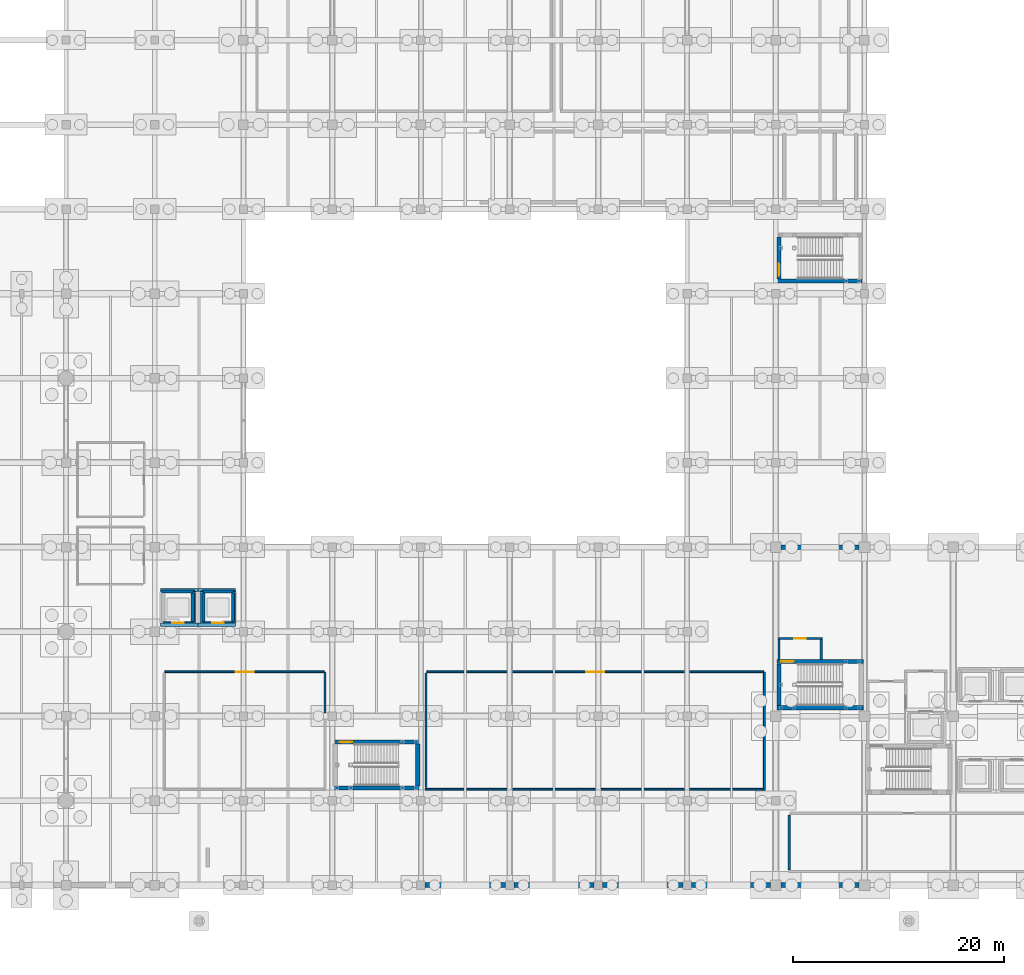
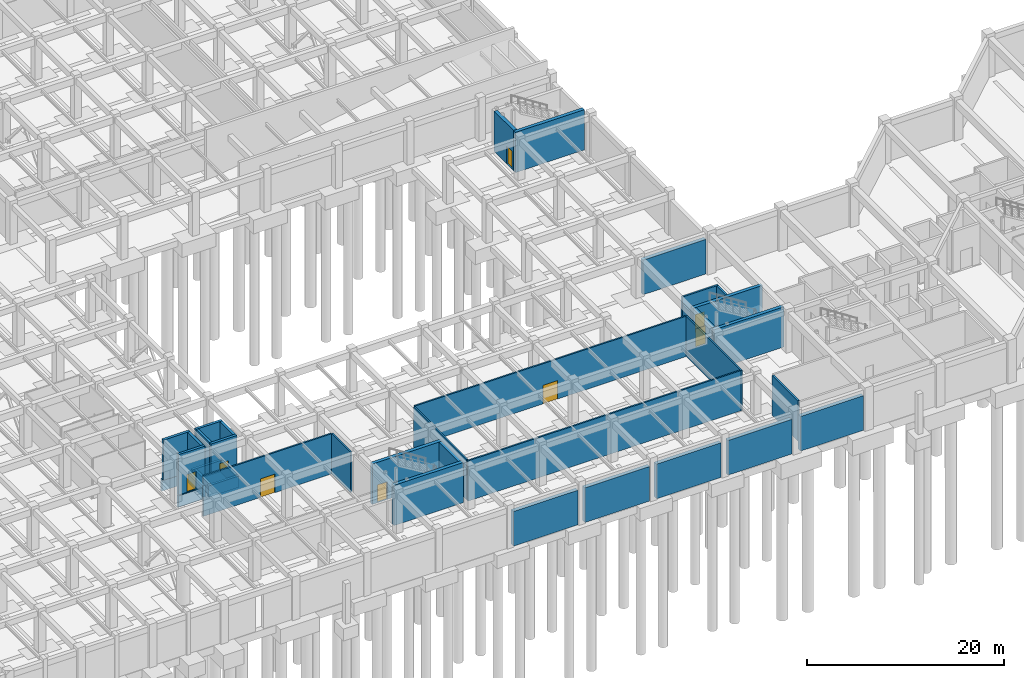
# One storey, part 38 of 56: 38 walls, 8 doors, 8 openings.
"""IFC4 building model written with IfcOpenShell, lengths in metres."""

from ifc_helpers import new_model, si_unit, direction, frame, frame_2d, origin, place, context, subcontext, project, spatial, rectangle, extrude, material, layer, layer_set, type_object, element, fill, save


model = new_model("IFC4")

# Units and contexts
model_context = context("Model", 3, precision=1e-05, world=origin(), true_north=direction((0.0, 1.0)))
body_context = subcontext(model_context, "Body", "Model", "MODEL_VIEW")
ifc_project = project(units=[si_unit("LENGTHUNIT", "METRE"), si_unit("AREAUNIT", "SQUARE_METRE"), si_unit("VOLUMEUNIT", "CUBIC_METRE"), si_unit("PLANEANGLEUNIT", "RADIAN"), si_unit("MASSUNIT", "GRAM", prefix="KILO")], contexts=[model_context])

# Site, building, storey
site_placement = place(None, origin())
site = spatial("IfcSite", under=ifc_project, at=site_placement, CompositionType="ELEMENT")
building_placement = place(site_placement, origin())
building = spatial("IfcBuilding", under=site, at=building_placement, Name="Naruveol Harbour Congress Hotel", CompositionType="ELEMENT")
storey_placement = place(building_placement, frame((0.0, 0.0, -5.39990234375)))
storey = spatial("IfcBuildingStorey", under=building, at=storey_placement, Name="B01", CompositionType="ELEMENT", Elevation=-5.39990234375)

# Wall, opening, door
ifc_material_1 = material(Name="Autoclaved Aerated Concrete Block", Category="concrete")
ifc_layer_1 = layer(ifc_material_1, 0.179931640625)
ifc_layer_set_1 = layer_set([ifc_layer_1], Name="Autoclaved Aerated Concrete Block")
wall_type_1 = type_object("IfcWallType", Name="ACOUSTIC HALL PARTITION WALL 180 EI60", PredefinedType="PARTITIONING", material=ifc_layer_set_1)
wall_1_placement = place(storey_placement, frame((59.760009765625, 20.199951171875, 0.0), z_axis=(0.0, 0.0, 1.0), x_axis=(1.0, 0.0, 0.0)))
wall_1 = element("IfcWall", 1, at=wall_1_placement, inside=storey, type_object=wall_type_1, Name="Bicycle Storage and Staff Changing Room north entry wall PW-180", PredefinedType="PARTITIONING", context=body_context, shape_type="SweptSolid", body=[
    extrude(rectangle(XDim=15.080078125, YDim=0.179931640625, at=frame_2d((7.5400390625, 0.0))), origin(), (0.0, 0.0, 1.0), 4.994873046875),
])
opening_1_placement = place(wall_1_placement, frame((6.68994140625, 0.0, 0.0)))
opening_1 = element("IfcOpeningElement", 2, at=opening_1_placement, cuts=wall_1, Name="Opening ID-MT-07", PredefinedType="OPENING", context=body_context, shape_type="SweptSolid", body=[
    extrude(rectangle(XDim=1.699951171875, YDim=2.300048828125, at=frame_2d((0.85009765625, 1.14990234375))), frame((0.0, 0.099853515625, 0.0), z_axis=(0.0, -1.0, 0.0), x_axis=(1.0, 0.0, 0.0)), (0.0, 0.0, 1.0), 0.199951171875),
])
ifc_material_2 = material(Name="Timber & Steel Acoustic Leaf", Category="steel")
door_type_1 = type_object("IfcDoorType", Name="MEETING SALON DOUBLE DOOR 1700X2300", OperationType="DOUBLE_DOOR_SINGLE_SWING", PredefinedType="DOOR", material=ifc_material_2)
door_1_placement = place(opening_1_placement, origin())
door_1 = element("IfcDoor", 3, at=door_1_placement, inside=storey, type_object=door_type_1, Name="Bicycle Storage and Staff Changing Room Entrance Door", OperationType="DOUBLE_DOOR_SINGLE_SWING", OverallHeight=2.300048828125, OverallWidth=1.699951171875, PredefinedType="DOOR", context=body_context, shape_type="SweptSolid", body=[
    extrude(rectangle(XDim=1.699951171875, YDim=2.300048828125, at=frame_2d((0.85009765625, 1.14990234375))), frame((0.0, 0.02490234375, 0.0), z_axis=(0.0, -1.0, 0.0), x_axis=(1.0, 0.0, 0.0)), (0.0, 0.0, 1.0), 0.050048828125),
])
fill(opening_1, door_1)

wall_2_placement = place(storey_placement, frame((84.56005859375, 20.199951171875, 0.0), z_axis=(0.0, 0.0, 1.0), x_axis=(1.0, 0.0, 0.0)))
wall_2 = element("IfcWall", 4, at=wall_2_placement, inside=storey, type_object=wall_type_1, Name="Building Management and Telecom Room north entry wall PW-180", PredefinedType="PARTITIONING", context=body_context, shape_type="SweptSolid", body=[
    extrude(rectangle(XDim=31.8798828125, YDim=0.179931640625, at=frame_2d((15.93994140625, 0.0))), origin(), (0.0, 0.0, 1.0), 4.994873046875),
])
opening_2_placement = place(wall_2_placement, frame((15.090087890625, 0.0, 0.0)))
opening_2 = element("IfcOpeningElement", 5, at=opening_2_placement, cuts=wall_2, Name="Opening ID-MT-08", PredefinedType="OPENING", context=body_context, shape_type="SweptSolid", body=[
    extrude(rectangle(XDim=1.699951171875, YDim=2.300048828125, at=frame_2d((0.85009765625, 1.14990234375))), frame((0.0, 0.099853515625, 0.0), z_axis=(0.0, -1.0, 0.0), x_axis=(1.0, 0.0, 0.0)), (0.0, 0.0, 1.0), 0.199951171875),
])
door_2_placement = place(opening_2_placement, origin())
door_2 = element("IfcDoor", 6, at=door_2_placement, inside=storey, type_object=door_type_1, Name="Building Management and Telecom Room Entrance Door", OperationType="DOUBLE_DOOR_SINGLE_SWING", OverallHeight=2.300048828125, OverallWidth=1.699951171875, PredefinedType="DOOR", context=body_context, shape_type="SweptSolid", body=[
    extrude(rectangle(XDim=1.699951171875, YDim=2.300048828125, at=frame_2d((0.85009765625, 1.14990234375))), frame((0.0, 0.02490234375, 0.0), z_axis=(0.0, -1.0, 0.0), x_axis=(1.0, 0.0, 0.0)), (0.0, 0.0, 1.0), 0.050048828125),
])
fill(opening_2, door_2)

# Walls
wall_3_placement = place(storey_placement, frame((84.47998046875, 9.25, 0.0), z_axis=(0.0, 0.0, 1.0), x_axis=(0.0, 1.0, 0.0)))
element("IfcWall", 7, at=wall_3_placement, inside=storey, type_object=wall_type_1, Name="Building Management and Telecom Room west partition PW-180", PredefinedType="PARTITIONING", context=body_context, shape_type="SweptSolid", body=[
    extrude(rectangle(XDim=10.81005859375, YDim=0.179931640625, at=frame_2d((5.405029296875, 0.0))), origin(), (0.0, 0.0, 1.0), 4.994873046875),
])
wall_4_placement = place(storey_placement, frame((74.919921875, 16.300048828125, 0.0), z_axis=(0.0, 0.0, 1.0), x_axis=(0.0, 1.0, 0.0)))
element("IfcWall", 8, at=wall_4_placement, inside=storey, type_object=wall_type_1, Name="Bicycle Storage and Staff Changing Room east enclosure partition PW-180", PredefinedType="PARTITIONING", context=body_context, shape_type="SweptSolid", body=[
    extrude(rectangle(XDim=3.867919921875, YDim=0.179931640625, at=frame_2d((1.93408203125, 0.0))), origin(), (0.0, 0.0, 1.0), 4.994873046875),
])
wall_5_placement = place(storey_placement, frame((116.52001953125, 9.0, 0.0), z_axis=(0.0, 0.0, 1.0), x_axis=(0.0, 1.0, 0.0)))
element("IfcWall", 9, at=wall_5_placement, inside=storey, type_object=wall_type_1, Name="Building Management and Telecom Room east enclosure partition PW-180", PredefinedType="PARTITIONING", context=body_context, shape_type="SweptSolid", body=[
    extrude(rectangle(XDim=11.16796875, YDim=0.179931640625, at=frame_2d((5.583984375, 0.0))), origin(), (0.0, 0.0, 1.0), 4.994873046875),
])
wall_6_placement = place(storey_placement, frame((84.39990234375, 9.080078125, 0.0), z_axis=(0.0, 0.0, 1.0), x_axis=(1.0, 0.0, 0.0)))
element("IfcWall", 10, at=wall_6_placement, inside=storey, type_object=wall_type_1, Name="Building Management and Telecom Room south enclosure partition PW-180", PredefinedType="PARTITIONING", context=body_context, shape_type="SweptSolid", body=[
    extrude(rectangle(XDim=32.030029296875, YDim=0.179931640625, at=frame_2d((16.01513671875, 0.0))), origin(), (0.0, 0.0, 1.0), 4.994873046875),
])
ifc_material_3 = material(Name="Concrete C40/50", Category="concrete")
ifc_layer_2 = layer(ifc_material_3, 0.219970703125)
ifc_layer_set_2 = layer_set([ifc_layer_2], Name="Concrete C40/50")
wall_type_2 = type_object("IfcWallType", Name="FIRE COMPARTMENT AND LOBBY WALL 220 EI120", PredefinedType="PARTITIONING", material=ifc_layer_set_2)
wall_7_placement = place(storey_placement, frame((117.89990234375, 21.364990234375, 0.0), z_axis=(0.0, 0.0, 1.0), x_axis=(0.0, 1.0, 0.0)))
element("IfcWall", 11, at=wall_7_placement, inside=storey, type_object=wall_type_2, Name="Smoke vestibule ST3 west wall FW-220", PredefinedType="PARTITIONING", context=body_context, shape_type="SweptSolid", body=[
    extrude(rectangle(XDim=1.8701171875, YDim=0.219970703125, at=frame_2d((0.93505859375, 0.0))), origin(), (0.0, 0.0, 1.0), 4.099853515625),
])

# Wall, opening, door
wall_8_placement = place(storey_placement, frame((117.7900390625, 23.35009765625, 0.0), z_axis=(0.0, 0.0, 1.0), x_axis=(1.0, 0.0, 0.0)))
wall_8 = element("IfcWall", 12, at=wall_8_placement, inside=storey, type_object=wall_type_2, Name="Smoke vestibule ST3 north wall FW-220", PredefinedType="PARTITIONING", context=body_context, shape_type="SweptSolid", body=[
    extrude(rectangle(XDim=4.219970703125, YDim=0.219970703125, at=frame_2d((2.10986328125, 0.0))), origin(), (0.0, 0.0, 1.0), 4.994873046875),
])
opening_3_placement = place(wall_8_placement, frame((1.550048828125, 0.0, 0.0)))
opening_3 = element("IfcOpeningElement", 13, at=opening_3_placement, cuts=wall_8, Name="Opening FD-ST3-V-B01", PredefinedType="OPENING", context=body_context, shape_type="SweptSolid", body=[
    extrude(rectangle(XDim=1.1201171875, YDim=2.199951171875, at=frame_2d((0.56005859375, 1.10009765625))), frame((0.0, 0.119873046875, 0.0), z_axis=(0.0, -1.0, 0.0), x_axis=(1.0, 0.0, 0.0)), (0.0, 0.0, 1.0), 0.239990234375),
])
ifc_material_4 = material(Name="Timber & Steel Acoustic Leaf", Category="steel")
door_type_2 = type_object("IfcDoorType", Name="VESTIBULE SMOKE CONTROL FIRE DOOR 1120X2200", OperationType="NOTDEFINED", PredefinedType="DOOR", material=ifc_material_4)
door_3_placement = place(opening_3_placement, origin())
door_3 = element("IfcDoor", 14, at=door_3_placement, inside=storey, type_object=door_type_2, Name="Smoke Vestibule Entry Door ST3 B01", OperationType="SINGLE_SWING_LEFT", OverallHeight=2.199951171875, OverallWidth=1.1201171875, PredefinedType="DOOR", context=body_context, shape_type="SweptSolid", body=[
    extrude(rectangle(XDim=1.1201171875, YDim=2.199951171875, at=frame_2d((0.56005859375, 1.10009765625))), frame((0.0, 0.02490234375, 0.0), z_axis=(0.0, -1.0, 0.0), x_axis=(1.0, 0.0, 0.0)), (0.0, 0.0, 1.0), 0.050048828125),
])
fill(opening_3, door_3)

# Walls
wall_9_placement = place(storey_placement, frame((121.89990234375, 21.364990234375, 0.0), z_axis=(0.0, 0.0, 1.0), x_axis=(0.0, 1.0, 0.0)))
element("IfcWall", 15, at=wall_9_placement, inside=storey, type_object=wall_type_2, Name="Smoke vestibule ST3 east wall FW-220", PredefinedType="PARTITIONING", context=body_context, shape_type="SweptSolid", body=[
    extrude(rectangle(XDim=1.8701171875, YDim=0.219970703125, at=frame_2d((0.93505859375, 0.0))), origin(), (0.0, 0.0, 1.0), 4.994873046875),
])
wall_10_placement = place(storey_placement, frame((118.8798828125, 1.449951171875, 0.0), z_axis=(0.0, 0.0, 1.0), x_axis=(0.0, 1.0, 0.0)))
element("IfcWall", 16, at=wall_10_placement, inside=storey, type_object=wall_type_2, Name="Housekeeping and Linen Laundry west partition FW-220", PredefinedType="PARTITIONING", context=body_context, shape_type="SweptSolid", body=[
    extrude(rectangle(XDim=5.2099609375, YDim=0.219970703125, at=frame_2d((2.60498046875, 0.0))), origin(), (0.0, 0.0, 1.0), 4.994873046875),
])
ifc_material_5 = material(Name="Concrete C40/50", Category="concrete")
ifc_layer_3 = layer(ifc_material_5, 0.449951171875)
ifc_layer_set_3 = layer_set([ifc_layer_3], Name="Concrete C40/50")
wall_type_3 = type_object("IfcWallType", Name="RC BASEMENT RETAINING WALL 450", PredefinedType="USERDEFINED", material=ifc_layer_set_3)
wall_11_placement = place(storey_placement, frame((117.10009765625, 0.0, 0.0), z_axis=(0.0, 0.0, 1.0), x_axis=(-1.0, 0.0, 0.0)))
element("IfcWall", 17, at=wall_11_placement, inside=storey, type_object=wall_type_3, Name="Basement colonnade south wall RW-450", ObjectType="RETAININGWALL", PredefinedType="USERDEFINED", context=body_context, shape_type="SweptSolid", body=[
    extrude(rectangle(XDim=7.5, YDim=0.449951171875, at=frame_2d((3.75, 0.0))), origin(), (0.0, 0.0, 1.0), 4.2998046875),
])
wall_12_placement = place(storey_placement, frame((108.800048828125, 0.0, 0.0), z_axis=(0.0, 0.0, 1.0), x_axis=(-1.0, 0.0, 0.0)))
element("IfcWall", 18, at=wall_12_placement, inside=storey, type_object=wall_type_3, Name="Basement colonnade south wall RW-450", ObjectType="RETAININGWALL", PredefinedType="USERDEFINED", context=body_context, shape_type="SweptSolid", body=[
    extrude(rectangle(XDim=7.60009765625, YDim=0.449951171875, at=frame_2d((3.800048828125, 0.0))), origin(), (0.0, 0.0, 1.0), 4.2998046875),
])
wall_13_placement = place(storey_placement, frame((100.39990234375, 0.0, 0.0), z_axis=(0.0, 0.0, 1.0), x_axis=(-1.0, 0.0, 0.0)))
element("IfcWall", 19, at=wall_13_placement, inside=storey, type_object=wall_type_3, Name="Basement colonnade south wall RW-450", ObjectType="RETAININGWALL", PredefinedType="USERDEFINED", context=body_context, shape_type="SweptSolid", body=[
    extrude(rectangle(XDim=7.599853515625, YDim=0.449951171875, at=frame_2d((3.7998046875, 0.0))), origin(), (0.0, 0.0, 1.0), 4.2998046875),
])
wall_14_placement = place(storey_placement, frame((92.0, 0.0, 0.0), z_axis=(0.0, 0.0, 1.0), x_axis=(-1.0, 0.0, 0.0)))
element("IfcWall", 20, at=wall_14_placement, inside=storey, type_object=wall_type_3, Name="Basement colonnade south wall RW-450", ObjectType="RETAININGWALL", PredefinedType="USERDEFINED", context=body_context, shape_type="SweptSolid", body=[
    extrude(rectangle(XDim=7.60009765625, YDim=0.449951171875, at=frame_2d((3.800048828125, 0.0))), origin(), (0.0, 0.0, 1.0), 4.2998046875),
])
for number, where, z_axis, x_axis, name in (
    (21, (125.5, 0.0, 0.0), (0.0, 0.0, 1.0), (-1.0, 0.0, 0.0), "Hotel basement south wall RW-450"),
    (22, (118.10009765625, 32.0, 0.0), (0.0, 0.0, 1.0), (1.0, 0.0, 0.0), "Hotel basement north wall RW-450"),
):
    element("IfcWall", number, at=place(storey_placement, frame(where, z_axis=z_axis, x_axis=x_axis)), inside=storey, type_object=wall_type_3, Name=name, ObjectType="RETAININGWALL", PredefinedType="USERDEFINED", context=body_context, shape_type="SweptSolid", body=[
        extrude(rectangle(XDim=7.39990234375, YDim=0.449951171875, at=frame_2d((3.699951171875, 0.0))), origin(), (0.0, 0.0, 1.0), 4.2998046875),
    ])
ifc_material_6 = material(Name="Concrete C50/60", Category="concrete")
ifc_layer_4 = layer(ifc_material_6, 0.39990234375)
ifc_layer_set_4 = layer_set([ifc_layer_4], Name="Concrete C50/60")
wall_type_4 = type_object("IfcWallType", Name="RC CORE SHEAR WALL 400 EI120", PredefinedType="SHEAR", material=ifc_layer_set_4)
wall_15_placement = place(storey_placement, frame((117.699951171875, 16.800048828125, 0.0), z_axis=(0.0, 0.0, 1.0), x_axis=(1.0, 0.0, 0.0)))
element("IfcWall", 23, at=wall_15_placement, inside=storey, type_object=wall_type_4, Name="Stair ST3 south core wall CW-400", PredefinedType="SHEAR", context=body_context, shape_type="SweptSolid", body=[
    extrude(rectangle(XDim=8.199951171875, YDim=0.39990234375, at=frame_2d((4.10009765625, 0.0))), origin(), (0.0, 0.0, 1.0), 4.994873046875),
])

# Wall, opening, door
wall_16_placement = place(storey_placement, frame((117.699951171875, 21.159912109375, 0.0), z_axis=(0.0, 0.0, 1.0), x_axis=(1.0, 0.0, 0.0)))
wall_16 = element("IfcWall", 24, at=wall_16_placement, inside=storey, type_object=wall_type_4, Name="Stair ST3 north core wall CW-400", PredefinedType="SHEAR", context=body_context, shape_type="SweptSolid", body=[
    extrude(rectangle(XDim=8.199951171875, YDim=0.39990234375, at=frame_2d((4.10009765625, 0.0))), origin(), (0.0, 0.0, 1.0), 4.994873046875),
])
opening_4_placement = place(wall_16_placement, frame((0.429931640625, 0.0, 0.0)))
opening_4 = element("IfcOpeningElement", 25, at=opening_4_placement, cuts=wall_16, Name="Opening FD-ST3-S-B01", PredefinedType="OPENING", context=body_context, shape_type="SweptSolid", body=[
    extrude(rectangle(XDim=1.159912109375, YDim=2.199951171875, at=frame_2d((0.580078125, 1.10009765625))), frame((0.0, 0.2099609375, 0.0), z_axis=(0.0, -1.0, 0.0), x_axis=(1.0, 0.0, 0.0)), (0.0, 0.0, 1.0), 0.419921875),
])
ifc_material_7 = material(Name="Timber & Steel Acoustic Leaf", Category="steel")
door_type_3 = type_object("IfcDoorType", Name="SPECIAL ESCAPE STAIR FIRE DOOR 1160X2200", OperationType="NOTDEFINED", PredefinedType="DOOR", material=ifc_material_7)
door_4_placement = place(opening_4_placement, origin())
door_4 = element("IfcDoor", 26, at=door_4_placement, inside=storey, type_object=door_type_3, Name="Special Escape Stair Door ST3 B01", OperationType="SINGLE_SWING_RIGHT", OverallHeight=2.199951171875, OverallWidth=1.159912109375, PredefinedType="DOOR", context=body_context, shape_type="SweptSolid", body=[
    extrude(rectangle(XDim=1.159912109375, YDim=2.199951171875, at=frame_2d((0.580078125, 1.10009765625))), frame((0.0, 0.02490234375, 0.0), z_axis=(0.0, -1.0, 0.0), x_axis=(1.0, 0.0, 0.0)), (0.0, 0.0, 1.0), 0.050048828125),
])
fill(opening_4, door_4)

# Walls
wall_17_placement = place(storey_placement, frame((117.89990234375, 17.0048828125, 0.0), z_axis=(0.0, 0.0, 1.0), x_axis=(0.0, 1.0, 0.0)))
element("IfcWall", 27, at=wall_17_placement, inside=storey, type_object=wall_type_4, Name="Stair ST3 west core wall CW-400", PredefinedType="SHEAR", context=body_context, shape_type="SweptSolid", body=[
    extrude(rectangle(XDim=3.9501953125, YDim=0.39990234375, at=frame_2d((1.97509765625, 0.0))), origin(), (0.0, 0.0, 1.0), 4.994873046875),
])
wall_18_placement = place(storey_placement, frame((117.699951171875, 57.199951171875, 0.0), z_axis=(0.0, 0.0, 1.0), x_axis=(1.0, 0.0, 0.0)))
element("IfcWall", 28, at=wall_18_placement, inside=storey, type_object=wall_type_4, Name="Stair ST9 south core wall CW-400", PredefinedType="SHEAR", context=body_context, shape_type="SweptSolid", body=[
    extrude(rectangle(XDim=8.074951171875, YDim=0.39990234375, at=frame_2d((4.03759765625, 0.0))), origin(), (0.0, 0.0, 1.0), 4.994873046875),
])

# Wall, opening, door
wall_19_placement = place(storey_placement, frame((117.89990234375, 57.405029296875, 0.0), z_axis=(0.0, 0.0, 1.0), x_axis=(0.0, 1.0, 0.0)))
wall_19 = element("IfcWall", 29, at=wall_19_placement, inside=storey, type_object=wall_type_4, Name="Stair ST9 west core wall CW-400", PredefinedType="SHEAR", context=body_context, shape_type="SweptSolid", body=[
    extrude(rectangle(XDim=3.949951171875, YDim=0.39990234375, at=frame_2d((1.97509765625, 0.0))), origin(), (0.0, 0.0, 1.0), 4.994873046875),
])
opening_5_placement = place(wall_19_placement, frame((0.280029296875, 0.0, 0.0)))
opening_5 = element("IfcOpeningElement", 30, at=opening_5_placement, cuts=wall_19, Name="Opening FD-ST9-B01", PredefinedType="OPENING", context=body_context, shape_type="SweptSolid", body=[
    extrude(rectangle(XDim=1.159912109375, YDim=2.199951171875, at=frame_2d((0.580078125, 1.10009765625))), frame((0.0, 0.2099609375, 0.0), z_axis=(0.0, -1.0, 0.0), x_axis=(1.0, 0.0, 0.0)), (0.0, 0.0, 1.0), 0.419921875),
])
door_5_placement = place(opening_5_placement, origin())
door_5 = element("IfcDoor", 31, at=door_5_placement, inside=storey, type_object=door_type_3, Name="Enclosed Exit Stair Door ST9 B01", OperationType="SINGLE_SWING_LEFT", OverallHeight=2.199951171875, OverallWidth=1.159912109375, PredefinedType="DOOR", context=body_context, shape_type="SweptSolid", body=[
    extrude(rectangle(XDim=1.159912109375, YDim=2.199951171875, at=frame_2d((0.580078125, 1.10009765625))), frame((0.0, 0.02490234375, 0.0), z_axis=(0.0, -1.0, 0.0), x_axis=(1.0, 0.0, 0.0)), (0.0, 0.0, 1.0), 0.050048828125),
])
fill(opening_5, door_5)

# Walls
wall_20_placement = place(storey_placement, frame((75.699951171875, 9.199951171875, 0.0), z_axis=(0.0, 0.0, 1.0), x_axis=(1.0, 0.0, 0.0)))
element("IfcWall", 32, at=wall_20_placement, inside=storey, type_object=wall_type_4, Name="Stair ST10 south core wall CW-400", PredefinedType="SHEAR", context=body_context, shape_type="SweptSolid", body=[
    extrude(rectangle(XDim=8.199951171875, YDim=0.39990234375, at=frame_2d((4.10009765625, 0.0))), origin(), (0.0, 0.0, 1.0), 4.994873046875),
])
wall_21_placement = place(storey_placement, frame((83.699951171875, 9.405029296875, 0.0), z_axis=(0.0, 0.0, 1.0), x_axis=(0.0, 1.0, 0.0)))
element("IfcWall", 33, at=wall_21_placement, inside=storey, type_object=wall_type_4, Name="Stair ST10 east core wall CW-400", PredefinedType="SHEAR", context=body_context, shape_type="SweptSolid", body=[
    extrude(rectangle(XDim=3.949951171875, YDim=0.39990234375, at=frame_2d((1.97509765625, 0.0))), origin(), (0.0, 0.0, 1.0), 4.994873046875),
])

# Wall, opening, door
wall_22_placement = place(storey_placement, frame((75.699951171875, 13.56005859375, 0.0), z_axis=(0.0, 0.0, 1.0), x_axis=(1.0, 0.0, 0.0)))
wall_22 = element("IfcWall", 34, at=wall_22_placement, inside=storey, type_object=wall_type_4, Name="Stair ST10 north core wall CW-400", PredefinedType="SHEAR", context=body_context, shape_type="SweptSolid", body=[
    extrude(rectangle(XDim=8.199951171875, YDim=0.39990234375, at=frame_2d((4.10009765625, 0.0))), origin(), (0.0, 0.0, 1.0), 4.994873046875),
])
opening_6_placement = place(wall_22_placement, frame((0.6201171875, 0.0, 0.0)))
opening_6 = element("IfcOpeningElement", 35, at=opening_6_placement, cuts=wall_22, Name="Opening FD-ST10-B01", PredefinedType="OPENING", context=body_context, shape_type="SweptSolid", body=[
    extrude(rectangle(XDim=1.159912109375, YDim=2.199951171875, at=frame_2d((0.580078125, 1.10009765625))), frame((0.0, 0.2099609375, 0.0), z_axis=(0.0, -1.0, 0.0), x_axis=(1.0, 0.0, 0.0)), (0.0, 0.0, 1.0), 0.419921875),
])
door_6_placement = place(opening_6_placement, origin())
door_6 = element("IfcDoor", 36, at=door_6_placement, inside=storey, type_object=door_type_3, Name="Enclosed Exit Stair Door ST10 B01", OperationType="SINGLE_SWING_RIGHT", OverallHeight=2.199951171875, OverallWidth=1.159912109375, PredefinedType="DOOR", context=body_context, shape_type="SweptSolid", body=[
    extrude(rectangle(XDim=1.159912109375, YDim=2.199951171875, at=frame_2d((0.580078125, 1.10009765625))), frame((0.0, 0.02490234375, 0.0), z_axis=(0.0, -1.0, 0.0), x_axis=(1.0, 0.0, 0.0)), (0.0, 0.0, 1.0), 0.050048828125),
])
fill(opening_6, door_6)

# Walls
ifc_material_8 = material(Name="Concrete C40/50", Category="concrete")
ifc_layer_5 = layer(ifc_material_8, 0.300048828125)
ifc_layer_set_5 = layer_set([ifc_layer_5], Name="Concrete C40/50")
wall_type_5 = type_object("IfcWallType", Name="RC LIFT PIT RETAINING WALL 300", PredefinedType="USERDEFINED", material=ifc_layer_set_5)
wall_23_placement = place(storey_placement, frame((59.35009765625, 24.64990234375, -1.400146484375), z_axis=(0.0, 0.0, 1.0), x_axis=(1.0, 0.0, 0.0)))
element("IfcWall", 37, at=wall_23_placement, inside=storey, type_object=wall_type_5, Name="Lift pit wall CL1 #1", ObjectType="RETAININGWALL", PredefinedType="USERDEFINED", context=body_context, shape_type="SweptSolid", body=[
    extrude(rectangle(XDim=3.5498046875, YDim=0.300048828125, at=frame_2d((1.77490234375, 0.0))), origin(), (0.0, 0.0, 1.0), 1.400146484375),
])
wall_24_placement = place(storey_placement, frame((62.550048828125, 24.81005859375, -1.400146484375), z_axis=(0.0, 0.0, 1.0), x_axis=(0.0, 1.0, 0.0)))
element("IfcWall", 38, at=wall_24_placement, inside=storey, type_object=wall_type_5, Name="Lift pit wall CL1 #2", ObjectType="RETAININGWALL", PredefinedType="USERDEFINED", context=body_context, shape_type="SweptSolid", body=[
    extrude(rectangle(XDim=2.97998046875, YDim=0.300048828125, at=frame_2d((1.489990234375, 0.0))), origin(), (0.0, 0.0, 1.0), 1.400146484375),
])
wall_25_placement = place(storey_placement, frame((62.89990234375, 27.949951171875, -1.400146484375), z_axis=(0.0, 0.0, 1.0), x_axis=(-1.0, 0.0, 0.0)))
element("IfcWall", 39, at=wall_25_placement, inside=storey, type_object=wall_type_5, Name="Lift pit wall CL1 #3", ObjectType="RETAININGWALL", PredefinedType="USERDEFINED", context=body_context, shape_type="SweptSolid", body=[
    extrude(rectangle(XDim=3.5498046875, YDim=0.300048828125, at=frame_2d((1.77490234375, 0.0))), origin(), (0.0, 0.0, 1.0), 1.400146484375),
])
wall_26_placement = place(storey_placement, frame((62.89990234375, 24.64990234375, -1.400146484375), z_axis=(0.0, 0.0, 1.0), x_axis=(1.0, 0.0, 0.0)))
element("IfcWall", 40, at=wall_26_placement, inside=storey, type_object=wall_type_5, Name="Lift pit wall CL2 #1", ObjectType="RETAININGWALL", PredefinedType="USERDEFINED", context=body_context, shape_type="SweptSolid", body=[
    extrude(rectangle(XDim=3.550048828125, YDim=0.300048828125, at=frame_2d((1.77490234375, 0.0))), origin(), (0.0, 0.0, 1.0), 1.400146484375),
])
wall_27_placement = place(storey_placement, frame((66.35009765625, 24.81005859375, -1.400146484375), z_axis=(0.0, 0.0, 1.0), x_axis=(0.0, 1.0, 0.0)))
element("IfcWall", 41, at=wall_27_placement, inside=storey, type_object=wall_type_5, Name="Lift pit wall CL2 #2", ObjectType="RETAININGWALL", PredefinedType="USERDEFINED", context=body_context, shape_type="SweptSolid", body=[
    extrude(rectangle(XDim=2.97998046875, YDim=0.300048828125, at=frame_2d((1.489990234375, 0.0))), origin(), (0.0, 0.0, 1.0), 1.400146484375),
])
wall_28_placement = place(storey_placement, frame((66.449951171875, 27.949951171875, -1.400146484375), z_axis=(0.0, 0.0, 1.0), x_axis=(-1.0, 0.0, 0.0)))
element("IfcWall", 42, at=wall_28_placement, inside=storey, type_object=wall_type_5, Name="Lift pit wall CL2 #3", ObjectType="RETAININGWALL", PredefinedType="USERDEFINED", context=body_context, shape_type="SweptSolid", body=[
    extrude(rectangle(XDim=3.550048828125, YDim=0.300048828125, at=frame_2d((1.77490234375, 0.0))), origin(), (0.0, 0.0, 1.0), 1.400146484375),
])
wall_29_placement = place(storey_placement, frame((63.25, 27.7900390625, -1.400146484375), z_axis=(0.0, 0.0, 1.0), x_axis=(0.0, -1.0, 0.0)))
element("IfcWall", 43, at=wall_29_placement, inside=storey, type_object=wall_type_5, Name="Lift pit wall CL2 #4", ObjectType="RETAININGWALL", PredefinedType="USERDEFINED", context=body_context, shape_type="SweptSolid", body=[
    extrude(rectangle(XDim=2.97998046875, YDim=0.300048828125, at=frame_2d((1.489990234375, 0.0))), origin(), (0.0, 0.0, 1.0), 1.400146484375),
])

# Wall, opening, door
ifc_material_9 = material(Name="Concrete C50/60", Category="concrete")
ifc_layer_6 = layer(ifc_material_9, 0.300048828125)
ifc_layer_set_6 = layer_set([ifc_layer_6], Name="Concrete C50/60")
wall_type_6 = type_object("IfcWallType", Name="RC STAIR AND HOISTWAY SHEAR WALL 300 EI120", PredefinedType="SHEAR", material=ifc_layer_set_6)
wall_30_placement = place(storey_placement, frame((59.449951171875, 24.800048828125, 0.0), z_axis=(0.0, 0.0, 1.0), x_axis=(1.0, 0.0, 0.0)))
wall_30 = element("IfcWall", 44, at=wall_30_placement, inside=storey, type_object=wall_type_6, Name="Hoistway south shear wall CL1 SW-300", PredefinedType="SHEAR", context=body_context, shape_type="SweptSolid", body=[
    extrude(rectangle(XDim=3.10009765625, YDim=0.300048828125, at=frame_2d((1.550048828125, 0.0))), origin(), (0.0, 0.0, 1.0), 4.994873046875),
])
opening_7_placement = place(wall_30_placement, frame((1.0, 0.0, 0.0)))
opening_7 = element("IfcOpeningElement", 45, at=opening_7_placement, cuts=wall_30, Name="Opening LD-CL1-B01", PredefinedType="OPENING", context=body_context, shape_type="SweptSolid", body=[
    extrude(rectangle(XDim=1.10009765625, YDim=2.199951171875, at=frame_2d((0.550048828125, 1.10009765625))), frame((0.0, 0.159912109375, 0.0), z_axis=(0.0, -1.0, 0.0), x_axis=(1.0, 0.0, 0.0)), (0.0, 0.0, 1.0), 0.320068359375),
])
ifc_material_10 = material(Name="Stainless Steel Lift Door", Category="steel")
door_type_4 = type_object("IfcDoorType", Name="PASSENGER LIFT LANDING DOOR 1100X2200", OperationType="DOUBLE_DOOR_SLIDING", PredefinedType="DOOR", material=ifc_material_10)
door_7_placement = place(opening_7_placement, origin())
door_7 = element("IfcDoor", 46, at=door_7_placement, inside=storey, type_object=door_type_4, Name="Elevator Landing Door CL1 B01", OperationType="DOUBLE_DOOR_SLIDING", OverallHeight=2.199951171875, OverallWidth=1.10009765625, PredefinedType="DOOR", context=body_context, shape_type="SweptSolid", body=[
    extrude(rectangle(XDim=1.10009765625, YDim=2.199951171875, at=frame_2d((0.550048828125, 1.10009765625))), frame((0.0, 0.02490234375, 0.0), z_axis=(0.0, -1.0, 0.0), x_axis=(1.0, 0.0, 0.0)), (0.0, 0.0, 1.0), 0.050048828125),
])
fill(opening_7, door_7)

# Walls
wall_31_placement = place(storey_placement, frame((62.39990234375, 24.955078125, 0.0), z_axis=(0.0, 0.0, 1.0), x_axis=(0.0, 1.0, 0.0)))
element("IfcWall", 47, at=wall_31_placement, inside=storey, type_object=wall_type_6, Name="Hoistway east shear wall CL1 SW-300", PredefinedType="SHEAR", context=body_context, shape_type="SweptSolid", body=[
    extrude(rectangle(XDim=2.68994140625, YDim=0.300048828125, at=frame_2d((1.344970703125, 0.0))), origin(), (0.0, 0.0, 1.0), 4.994873046875),
])
wall_32_placement = place(storey_placement, frame((62.550048828125, 27.800048828125, 0.0), z_axis=(0.0, 0.0, 1.0), x_axis=(-1.0, 0.0, 0.0)))
element("IfcWall", 48, at=wall_32_placement, inside=storey, type_object=wall_type_6, Name="Hoistway north shear wall CL1 SW-300", PredefinedType="SHEAR", context=body_context, shape_type="SweptSolid", body=[
    extrude(rectangle(XDim=3.10009765625, YDim=0.300048828125, at=frame_2d((1.550048828125, 0.0))), origin(), (0.0, 0.0, 1.0), 4.994873046875),
])

# Wall, opening, door
wall_33_placement = place(storey_placement, frame((63.25, 24.800048828125, 0.0), z_axis=(0.0, 0.0, 1.0), x_axis=(1.0, 0.0, 0.0)))
wall_33 = element("IfcWall", 49, at=wall_33_placement, inside=storey, type_object=wall_type_6, Name="Hoistway south shear wall CL2 SW-300", PredefinedType="SHEAR", context=body_context, shape_type="SweptSolid", body=[
    extrude(rectangle(XDim=3.10009765625, YDim=0.300048828125, at=frame_2d((1.550048828125, 0.0))), origin(), (0.0, 0.0, 1.0), 4.994873046875),
])
opening_8_placement = place(wall_33_placement, frame((1.0, 0.0, 0.0)))
opening_8 = element("IfcOpeningElement", 50, at=opening_8_placement, cuts=wall_33, Name="Opening LD-CL2-B01", PredefinedType="OPENING", context=body_context, shape_type="SweptSolid", body=[
    extrude(rectangle(XDim=1.10009765625, YDim=2.199951171875, at=frame_2d((0.550048828125, 1.10009765625))), frame((0.0, 0.159912109375, 0.0), z_axis=(0.0, -1.0, 0.0), x_axis=(1.0, 0.0, 0.0)), (0.0, 0.0, 1.0), 0.320068359375),
])
door_8_placement = place(opening_8_placement, origin())
door_8 = element("IfcDoor", 51, at=door_8_placement, inside=storey, type_object=door_type_4, Name="Elevator Landing Door CL2 B01", OperationType="DOUBLE_DOOR_SLIDING", OverallHeight=2.199951171875, OverallWidth=1.10009765625, PredefinedType="DOOR", context=body_context, shape_type="SweptSolid", body=[
    extrude(rectangle(XDim=1.10009765625, YDim=2.199951171875, at=frame_2d((0.550048828125, 1.10009765625))), frame((0.0, 0.02490234375, 0.0), z_axis=(0.0, -1.0, 0.0), x_axis=(1.0, 0.0, 0.0)), (0.0, 0.0, 1.0), 0.050048828125),
])
fill(opening_8, door_8)

# Walls
wall_34_placement = place(storey_placement, frame((66.199951171875, 24.955078125, 0.0), z_axis=(0.0, 0.0, 1.0), x_axis=(0.0, 1.0, 0.0)))
element("IfcWall", 52, at=wall_34_placement, inside=storey, type_object=wall_type_6, Name="Hoistway east shear wall CL2 SW-300", PredefinedType="SHEAR", context=body_context, shape_type="SweptSolid", body=[
    extrude(rectangle(XDim=2.68994140625, YDim=0.300048828125, at=frame_2d((1.344970703125, 0.0))), origin(), (0.0, 0.0, 1.0), 4.994873046875),
])
wall_35_placement = place(storey_placement, frame((66.35009765625, 27.800048828125, 0.0), z_axis=(0.0, 0.0, 1.0), x_axis=(-1.0, 0.0, 0.0)))
element("IfcWall", 53, at=wall_35_placement, inside=storey, type_object=wall_type_6, Name="Hoistway north shear wall CL2 SW-300", PredefinedType="SHEAR", context=body_context, shape_type="SweptSolid", body=[
    extrude(rectangle(XDim=3.10009765625, YDim=0.300048828125, at=frame_2d((1.550048828125, 0.0))), origin(), (0.0, 0.0, 1.0), 4.994873046875),
])
wall_36_placement = place(storey_placement, frame((63.39990234375, 27.64501953125, 0.0), z_axis=(0.0, 0.0, 1.0), x_axis=(0.0, -1.0, 0.0)))
element("IfcWall", 54, at=wall_36_placement, inside=storey, type_object=wall_type_6, Name="Hoistway west shear wall CL2 SW-300", PredefinedType="SHEAR", context=body_context, shape_type="SweptSolid", body=[
    extrude(rectangle(XDim=2.68994140625, YDim=0.300048828125, at=frame_2d((1.344970703125, 0.0))), origin(), (0.0, 0.0, 1.0), 4.994873046875),
])

save(model, "model.ifc")
